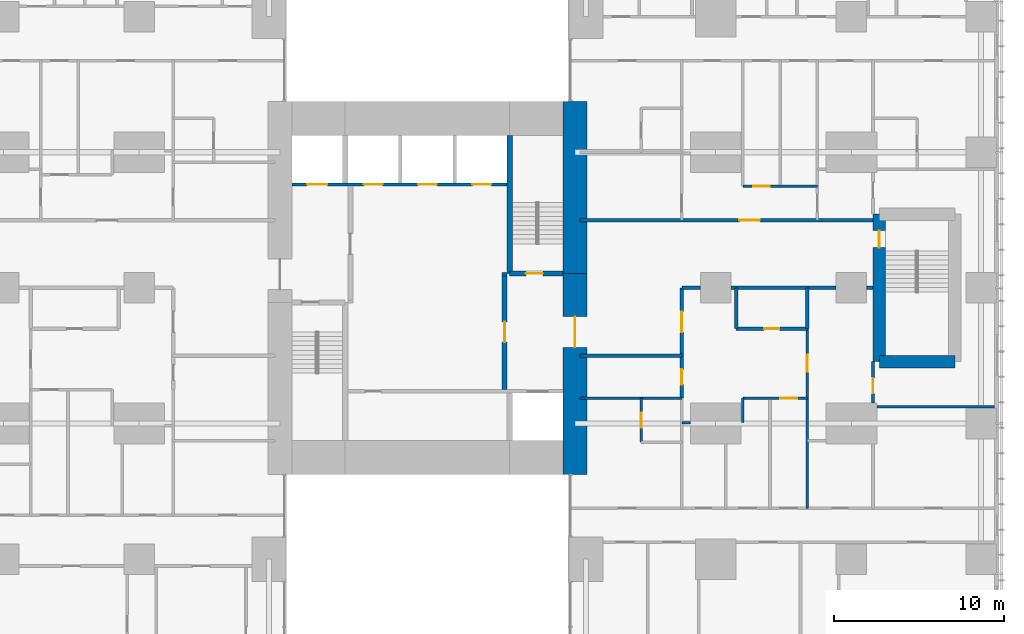
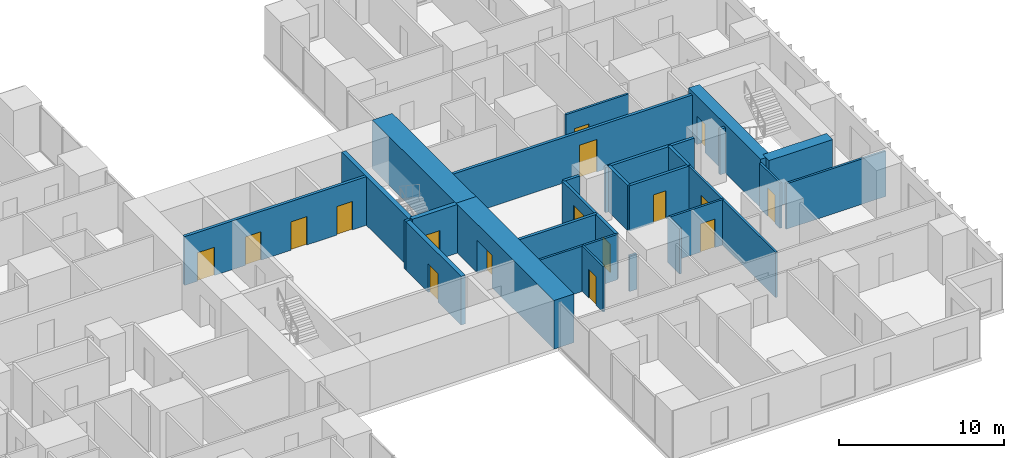
# One storey, part 15 of 20: 27 walls, 17 doors, 17 openings.
"""IFC4 building model written with IfcOpenShell, lengths in metres."""

from ifc_helpers import new_model, si_unit, direction, frame, frame_2d, origin, place, context, subcontext, project, spatial, rectangle, extrude, material, layer, layer_set, type_object, element, fill, save


model = new_model("IFC4")

# Units and contexts
model_context = context("Model", 3, precision=1e-05, world=origin(), true_north=direction((0.0, 1.0)))
body_context = subcontext(model_context, "Body", "Model", "MODEL_VIEW")
ifc_project = project(units=[si_unit("LENGTHUNIT", "METRE"), si_unit("AREAUNIT", "SQUARE_METRE"), si_unit("VOLUMEUNIT", "CUBIC_METRE"), si_unit("PLANEANGLEUNIT", "RADIAN"), si_unit("MASSUNIT", "GRAM", prefix="KILO")], contexts=[model_context])

# Site, building, storey
site_placement = place(None, origin())
site = spatial("IfcSite", under=ifc_project, at=site_placement, CompositionType="ELEMENT")
building_placement = place(site_placement, origin())
building = spatial("IfcBuilding", under=site, at=building_placement, Name="Cleftline Residences", CompositionType="ELEMENT")
storey_placement = place(building_placement, frame((0.0, 0.0, 211.0)))
storey = spatial("IfcBuildingStorey", under=building, at=storey_placement, Name="L55", CompositionType="ELEMENT", Elevation=211.0)

# Wall, opening, door
ifc_material_1 = material(Name="Concrete B70", Category="concrete")
ifc_layer_1 = layer(ifc_material_1, 1.39990234375)
ifc_layer_set_1 = layer_set([ifc_layer_1], Name="CORE WALL 1400")
wall_type_1 = type_object("IfcWallType", Name="CORE WALL 1400", PredefinedType="SHEAR", material=ifc_layer_set_1)
wall_1_placement = place(storey_placement, frame((41.699951171875, 13.0, 0.0), z_axis=(0.0, 0.0, 1.0), x_axis=(0.0, 1.0, 0.0)))
wall_1 = element("IfcWall", 1, at=wall_1_placement, inside=storey, type_object=wall_type_1, Name="Core wall E", PredefinedType="SHEAR", context=body_context, shape_type="SweptSolid", body=[
    extrude(rectangle(XDim=11.85009765625, YDim=1.39990234375, at=frame_2d((5.925048828125, 0.0))), origin(), (0.0, 0.0, 1.0), 3.60009765625),
])
opening_1_placement = place(wall_1_placement, frame((7.5, 0.0, 0.0)))
opening_1 = element("IfcOpeningElement", 2, at=opening_1_placement, cuts=wall_1, Name="Opening D7", PredefinedType="OPENING", context=body_context, shape_type="SweptSolid", body=[
    extrude(rectangle(XDim=1.800048828125, YDim=2.39990234375, at=frame_2d((0.89990234375, 1.199951171875))), frame((0.0, 0.7099609375, 0.0), z_axis=(0.0, -1.0, 0.0), x_axis=(1.0, 0.0, 0.0)), (0.0, 0.0, 1.0), 1.419921875),
])
ifc_material_2 = material(Name="Steel", Category="steel")
door_type_1 = type_object("IfcDoorType", Name="WING DOOR 1800X2400", OperationType="DOUBLE_DOOR_DOUBLE_SWING", PredefinedType="DOOR", material=ifc_material_2)
door_1_placement = place(opening_1_placement, origin())
door_1 = element("IfcDoor", 3, at=door_1_placement, inside=storey, type_object=door_type_1, Name="East wing door", OperationType="DOUBLE_DOOR_DOUBLE_SWING", OverallHeight=2.39990234375, OverallWidth=1.800048828125, PredefinedType="DOOR", context=body_context, shape_type="SweptSolid", body=[
    extrude(rectangle(XDim=1.800048828125, YDim=2.39990234375, at=frame_2d((0.89990234375, 1.199951171875))), frame((0.0, 0.02490234375, 0.0), z_axis=(0.0, -1.0, 0.0), x_axis=(1.0, 0.0, 0.0)), (0.0, 0.0, 1.0), 0.050048828125),
])
fill(opening_1, door_1)

# Walls
wall_2_placement = place(storey_placement, frame((41.699951171875, 24.85009765625, 0.0), z_axis=(0.0, 0.0, 1.0), x_axis=(0.0, 1.0, 0.0)))
element("IfcWall", 4, at=wall_2_placement, inside=storey, type_object=wall_type_1, Name="Core wall E1", PredefinedType="SHEAR", context=body_context, shape_type="SweptSolid", body=[
    extrude(rectangle(XDim=10.14990234375, YDim=1.39990234375, at=frame_2d((5.074951171875, 0.0))), origin(), (0.0, 0.0, 1.0), 3.60009765625),
])
ifc_material_3 = material(Name="Concrete B70", Category="concrete")
ifc_layer_2 = layer(ifc_material_3, 0.300048828125)
ifc_layer_set_2 = layer_set([ifc_layer_2], Name="CORE WALL 300")
wall_type_2 = type_object("IfcWallType", Name="CORE WALL 300", PredefinedType="SHEAR", material=ifc_layer_set_2)
wall_3_placement = place(storey_placement, frame((37.85009765625, 24.85009765625, 0.0), z_axis=(0.0, 0.0, 1.0), x_axis=(0.0, 1.0, 0.0)))
element("IfcWall", 5, at=wall_3_placement, inside=storey, type_object=wall_type_2, Name="Core wall SB-W", PredefinedType="SHEAR", context=body_context, shape_type="SweptSolid", body=[
    extrude(rectangle(XDim=8.14990234375, YDim=0.300048828125, at=frame_2d((4.074951171875, 0.0))), origin(), (0.0, 0.0, 1.0), 3.60009765625),
])

# Wall, opening, door
wall_4_placement = place(storey_placement, frame((37.85009765625, 24.85009765625, 0.0), z_axis=(0.0, 0.0, 1.0), x_axis=(1.0, 0.0, 0.0)))
wall_4 = element("IfcWall", 6, at=wall_4_placement, inside=storey, type_object=wall_type_2, Name="Core wall SB-S", PredefinedType="SHEAR", context=body_context, shape_type="SweptSolid", body=[
    extrude(rectangle(XDim=3.14990234375, YDim=0.300048828125, at=frame_2d((1.574951171875, 0.0))), origin(), (0.0, 0.0, 1.0), 3.60009765625),
])
opening_2_placement = place(wall_4_placement, frame((0.949951171875, 0.0, 0.0)))
opening_2 = element("IfcOpeningElement", 7, at=opening_2_placement, cuts=wall_4, Name="Opening D5", PredefinedType="OPENING", context=body_context, shape_type="SweptSolid", body=[
    extrude(rectangle(XDim=1.0, YDim=2.10009765625, at=frame_2d((0.5, 1.050048828125))), frame((0.0, 0.159912109375, 0.0), z_axis=(0.0, -1.0, 0.0), x_axis=(1.0, 0.0, 0.0)), (0.0, 0.0, 1.0), 0.320068359375),
])
ifc_material_4 = material(Name="Steel", Category="steel")
door_type_2 = type_object("IfcDoorType", Name="STAIR DOOR 1000X2100", OperationType="SINGLE_SWING_LEFT", PredefinedType="DOOR", material=ifc_material_4)
door_2_placement = place(opening_2_placement, origin())
door_2 = element("IfcDoor", 8, at=door_2_placement, inside=storey, type_object=door_type_2, Name="Stair B door", OperationType="SINGLE_SWING_RIGHT", OverallHeight=2.10009765625, OverallWidth=1.0, PredefinedType="DOOR", context=body_context, shape_type="SweptSolid", body=[
    extrude(rectangle(XDim=1.0, YDim=2.10009765625, at=frame_2d((0.5, 1.050048828125))), frame((0.0, 0.02490234375, 0.0), z_axis=(0.0, -1.0, 0.0), x_axis=(1.0, 0.0, 0.0)), (0.0, 0.0, 1.0), 0.050048828125),
])
fill(opening_2, door_2)

# Wall
ifc_material_5 = material(Name="Concrete blockwork, fire rated", Category="masonry")
ifc_layer_3 = layer(ifc_material_5, 0.199951171875)
ifc_layer_set_3 = layer_set([ifc_layer_3], Name="FIRE WALL 200")
wall_type_3 = type_object("IfcWallType", Name="FIRE WALL 200", PredefinedType="PARTITIONING", material=ifc_layer_set_3)
wall_5_placement = place(storey_placement, frame((42.0, 20.0, 0.0), z_axis=(0.0, 0.0, 1.0), x_axis=(1.0, 0.0, 0.0)))
element("IfcWall", 9, at=wall_5_placement, inside=storey, type_object=wall_type_3, Name="Fire separating wall", PredefinedType="PARTITIONING", context=body_context, shape_type="SweptSolid", body=[
    extrude(rectangle(XDim=6.0, YDim=0.199951171875, at=frame_2d((3.0, 0.0))), origin(), (0.0, 0.0, 1.0), 3.35009765625),
])

# Wall, opening, door
wall_6_placement = place(storey_placement, frame((51.199951171875, 21.60009765625, 0.0), z_axis=(0.0, 0.0, 1.0), x_axis=(1.0, 0.0, 0.0)))
wall_6 = element("IfcWall", 10, at=wall_6_placement, inside=storey, type_object=wall_type_3, Name="Fire separating wall", PredefinedType="PARTITIONING", context=body_context, shape_type="SweptSolid", body=[
    extrude(rectangle(XDim=4.199951171875, YDim=0.199951171875, at=frame_2d((2.10009765625, 0.0))), origin(), (0.0, 0.0, 1.0), 3.35009765625),
])
opening_3_placement = place(wall_6_placement, frame((1.64990234375, 0.0, 0.0)))
opening_3 = element("IfcOpeningElement", 11, at=opening_3_placement, cuts=wall_6, Name="Opening D1F30", PredefinedType="OPENING", context=body_context, shape_type="SweptSolid", body=[
    extrude(rectangle(XDim=0.89990234375, YDim=2.10009765625, at=frame_2d((0.449951171875, 1.050048828125))), frame((0.0, 0.10986328125, 0.0), z_axis=(0.0, -1.0, 0.0), x_axis=(1.0, 0.0, 0.0)), (0.0, 0.0, 1.0), 0.219970703125),
])
ifc_material_6 = material(Name="Timber veneer on solid core", Category="wood")
door_type_3 = type_object("IfcDoorType", Name="DOOR 900X2100 EI 30", OperationType="SINGLE_SWING_LEFT", PredefinedType="DOOR", material=ifc_material_6)
door_3_placement = place(opening_3_placement, origin())
door_3 = element("IfcDoor", 12, at=door_3_placement, inside=storey, type_object=door_type_3, Name="Door to cloakroom wc", OperationType="SINGLE_SWING_LEFT", OverallHeight=2.10009765625, OverallWidth=0.89990234375, PredefinedType="DOOR", context=body_context, shape_type="SweptSolid", body=[
    extrude(rectangle(XDim=0.89990234375, YDim=2.10009765625, at=frame_2d((0.449951171875, 1.050048828125))), frame((0.0, 0.02490234375, 0.0), z_axis=(0.0, -1.0, 0.0), x_axis=(1.0, 0.0, 0.0)), (0.0, 0.0, 1.0), 0.050048828125),
])
fill(opening_3, door_3)

# Walls
wall_7_placement = place(storey_placement, frame((48.0, 24.0, 0.0), z_axis=(0.0, 0.0, 1.0), x_axis=(1.0, 0.0, 0.0)))
element("IfcWall", 13, at=wall_7_placement, inside=storey, type_object=wall_type_3, Name="Fire separating wall", PredefinedType="PARTITIONING", context=body_context, shape_type="SweptSolid", body=[
    extrude(rectangle(XDim=1.10009765625, YDim=0.199951171875, at=frame_2d((0.550048828125, 0.0))), origin(), (0.0, 0.0, 1.0), 3.35009765625),
])
wall_8_placement = place(storey_placement, frame((50.89990234375, 24.0, 0.0), z_axis=(0.0, 0.0, 1.0), x_axis=(1.0, 0.0, 0.0)))
element("IfcWall", 14, at=wall_8_placement, inside=storey, type_object=wall_type_3, Name="Fire separating wall", PredefinedType="PARTITIONING", context=body_context, shape_type="SweptSolid", body=[
    extrude(rectangle(XDim=6.2001953125, YDim=0.199951171875, at=frame_2d((3.10009765625, 0.0))), origin(), (0.0, 0.0, 1.0), 3.35009765625),
])
wall_9_placement = place(storey_placement, frame((58.89990234375, 24.0, 0.0), z_axis=(0.0, 0.0, 1.0), x_axis=(1.0, 0.0, 0.0)))
element("IfcWall", 15, at=wall_9_placement, inside=storey, type_object=wall_type_3, Name="Fire separating wall", PredefinedType="PARTITIONING", context=body_context, shape_type="SweptSolid", body=[
    extrude(rectangle(XDim=0.375, YDim=0.199951171875, at=frame_2d((0.1875, 0.0))), origin(), (0.0, 0.0, 1.0), 3.35009765625),
])

# Wall, opening, door
wall_10_placement = place(storey_placement, frame((42.0, 28.0, 0.0), z_axis=(0.0, 0.0, 1.0), x_axis=(1.0, 0.0, 0.0)))
wall_10 = element("IfcWall", 16, at=wall_10_placement, inside=storey, type_object=wall_type_3, Name="Fire separating wall", PredefinedType="PARTITIONING", context=body_context, shape_type="SweptSolid", body=[
    extrude(rectangle(XDim=17.27490234375, YDim=0.199951171875, at=frame_2d((8.637451171875, 0.0))), origin(), (0.0, 0.0, 1.0), 3.35009765625),
])
opening_4_placement = place(wall_10_placement, frame((9.39990234375, 0.0, 0.0)))
opening_4 = element("IfcOpeningElement", 17, at=opening_4_placement, cuts=wall_10, Name="Opening D4", PredefinedType="OPENING", context=body_context, shape_type="SweptSolid", body=[
    extrude(rectangle(XDim=1.199951171875, YDim=2.39990234375, at=frame_2d((0.60009765625, 1.199951171875))), frame((0.0, 0.10986328125, 0.0), z_axis=(0.0, -1.0, 0.0), x_axis=(1.0, 0.0, 0.0)), (0.0, 0.0, 1.0), 0.219970703125),
])
ifc_material_7 = material(Name="Timber veneer on solid core", Category="wood")
door_type_4 = type_object("IfcDoorType", Name="APARTMENT ENTRANCE DOOR 1200X2400", OperationType="SINGLE_SWING_RIGHT", PredefinedType="DOOR", material=ifc_material_7)
door_4_placement = place(opening_4_placement, origin())
door_4 = element("IfcDoor", 18, at=door_4_placement, inside=storey, type_object=door_type_4, Name="Door to residence entrance (gallery)", OperationType="SINGLE_SWING_LEFT", OverallHeight=2.39990234375, OverallWidth=1.199951171875, PredefinedType="DOOR", context=body_context, shape_type="SweptSolid", body=[
    extrude(rectangle(XDim=1.199951171875, YDim=2.39990234375, at=frame_2d((0.60009765625, 1.199951171875))), frame((0.0, 0.02490234375, 0.0), z_axis=(0.0, -1.0, 0.0), x_axis=(1.0, 0.0, 0.0)), (0.0, 0.0, 1.0), 0.050048828125),
])
fill(opening_4, door_4)

# Wall, openings, doors
wall_11_placement = place(storey_placement, frame((48.0, 17.5, 0.0), z_axis=(0.0, 0.0, 1.0), x_axis=(0.0, 1.0, 0.0)))
wall_11 = element("IfcWall", 19, at=wall_11_placement, inside=storey, type_object=wall_type_3, Name="Fire separating wall", PredefinedType="PARTITIONING", context=body_context, shape_type="SweptSolid", body=[
    extrude(rectangle(XDim=6.5, YDim=0.199951171875, at=frame_2d((3.25, 0.0))), origin(), (0.0, 0.0, 1.0), 3.35009765625),
])
opening_5_placement = place(wall_11_placement, frame((3.89990234375, 0.0, 0.0)))
opening_5 = element("IfcOpeningElement", 20, at=opening_5_placement, cuts=wall_11, Name="Opening D4", PredefinedType="OPENING", context=body_context, shape_type="SweptSolid", body=[
    extrude(rectangle(XDim=1.199951171875, YDim=2.39990234375, at=frame_2d((0.60009765625, 1.199951171875))), frame((0.0, 0.10986328125, 0.0), z_axis=(0.0, -1.0, 0.0), x_axis=(1.0, 0.0, 0.0)), (0.0, 0.0, 1.0), 0.219970703125),
])
opening_6_placement = place(wall_11_placement, frame((0.800048828125, 0.0, 0.0)))
opening_6 = element("IfcOpeningElement", 21, at=opening_6_placement, cuts=wall_11, Name="Opening D1F30", PredefinedType="OPENING", context=body_context, shape_type="SweptSolid", body=[
    extrude(rectangle(XDim=0.89990234375, YDim=2.10009765625, at=frame_2d((0.449951171875, 1.050048828125))), frame((0.0, 0.10986328125, 0.0), z_axis=(0.0, -1.0, 0.0), x_axis=(1.0, 0.0, 0.0)), (0.0, 0.0, 1.0), 0.219970703125),
])
door_5_placement = place(opening_5_placement, origin())
door_5 = element("IfcDoor", 22, at=door_5_placement, inside=storey, type_object=door_type_4, Name="Door to residence entrance foyer", OperationType="SINGLE_SWING_LEFT", OverallHeight=2.39990234375, OverallWidth=1.199951171875, PredefinedType="DOOR", context=body_context, shape_type="SweptSolid", body=[
    extrude(rectangle(XDim=1.199951171875, YDim=2.39990234375, at=frame_2d((0.60009765625, 1.199951171875))), frame((0.0, 0.02490234375, 0.0), z_axis=(0.0, -1.0, 0.0), x_axis=(1.0, 0.0, 0.0)), (0.0, 0.0, 1.0), 0.050048828125),
])
fill(opening_5, door_5)
door_6_placement = place(opening_6_placement, origin())
door_6 = element("IfcDoor", 23, at=door_6_placement, inside=storey, type_object=door_type_3, Name="Door to utility room", OperationType="SINGLE_SWING_RIGHT", OverallHeight=2.10009765625, OverallWidth=0.89990234375, PredefinedType="DOOR", context=body_context, shape_type="SweptSolid", body=[
    extrude(rectangle(XDim=0.89990234375, YDim=2.10009765625, at=frame_2d((0.449951171875, 1.050048828125))), frame((0.0, 0.02490234375, 0.0), z_axis=(0.0, -1.0, 0.0), x_axis=(1.0, 0.0, 0.0)), (0.0, 0.0, 1.0), 0.050048828125),
])
fill(opening_6, door_6)

# Walls
for number, where, z_axis, x_axis, name in (
    (24, (51.199951171875, 21.60009765625, 0.0), (0.0, 0.0, 1.0), (0.0, 1.0, 0.0), "Fire separating wall"),
    (25, (55.39990234375, 21.60009765625, 0.0), (0.0, 0.0, 1.0), (0.0, 1.0, 0.0), "Fire separating wall"),
):
    element("IfcWall", number, at=place(storey_placement, frame(where, z_axis=z_axis, x_axis=x_axis)), inside=storey, type_object=wall_type_3, Name=name, PredefinedType="PARTITIONING", context=body_context, shape_type="SweptSolid", body=[
        extrude(rectangle(XDim=2.39990234375, YDim=0.199951171875, at=frame_2d((1.199951171875, 0.0))), origin(), (0.0, 0.0, 1.0), 3.35009765625),
    ])
wall_12_placement = place(storey_placement, frame((37.39990234375, 24.800048828125, 0.0), z_axis=(0.0, 0.0, 1.0), x_axis=(1.0, 0.0, 0.0)))
element("IfcWall", 26, at=wall_12_placement, inside=storey, type_object=wall_type_3, Name="Fire separating wall", PredefinedType="PARTITIONING", context=body_context, shape_type="SweptSolid", body=[
    extrude(rectangle(XDim=0.300048828125, YDim=0.199951171875, at=frame_2d((0.14990234375, 0.0))), origin(), (0.0, 0.0, 1.0), 3.60009765625),
])
ifc_material_8 = material(Name="Gypsum board on steel studs", Category="steel")
ifc_layer_4 = layer(ifc_material_8, 0.14990234375)
ifc_layer_set_4 = layer_set([ifc_layer_4], Name="PARTITION 150")
wall_type_4 = type_object("IfcWallType", Name="PARTITION 150", PredefinedType="PARTITIONING", material=ifc_layer_set_4)
wall_13_placement = place(storey_placement, frame((48.0, 16.050048828125, 0.0), z_axis=(0.0, 0.0, 1.0), x_axis=(1.0, 0.0, 0.0)))
element("IfcWall", 27, at=wall_13_placement, inside=storey, type_object=wall_type_4, Name="Partition", PredefinedType="PARTITIONING", context=body_context, shape_type="SweptSolid", body=[
    extrude(rectangle(XDim=0.5, YDim=0.14990234375, at=frame_2d((0.25, 0.0))), origin(), (0.0, 0.0, 1.0), 2.634033203125),
])
wall_14_placement = place(storey_placement, frame((59.5, 17.0, 0.0), z_axis=(0.0, 0.0, 1.0), x_axis=(1.0, 0.0, 0.0)))
element("IfcWall", 28, at=wall_14_placement, inside=storey, type_object=wall_type_4, Name="Partition", PredefinedType="PARTITIONING", context=body_context, shape_type="SweptSolid", body=[
    extrude(rectangle(XDim=6.949951171875, YDim=0.14990234375, at=frame_2d((3.47509765625, 0.0))), origin(), (0.0, 0.0, 1.0), 3.35009765625),
])
wall_15_placement = place(storey_placement, frame((42.0, 17.5, 0.0), z_axis=(0.0, 0.0, 1.0), x_axis=(1.0, 0.0, 0.0)))
element("IfcWall", 29, at=wall_15_placement, inside=storey, type_object=wall_type_4, Name="Partition", PredefinedType="PARTITIONING", context=body_context, shape_type="SweptSolid", body=[
    extrude(rectangle(XDim=6.0, YDim=0.14990234375, at=frame_2d((3.0, 0.0))), origin(), (0.0, 0.0, 1.0), 3.35009765625),
])

# Wall, opening, door
wall_16_placement = place(storey_placement, frame((51.60009765625, 17.5, 0.0), z_axis=(0.0, 0.0, 1.0), x_axis=(1.0, 0.0, 0.0)))
wall_16 = element("IfcWall", 30, at=wall_16_placement, inside=storey, type_object=wall_type_4, Name="Partition", PredefinedType="PARTITIONING", context=body_context, shape_type="SweptSolid", body=[
    extrude(rectangle(XDim=3.7998046875, YDim=0.14990234375, at=frame_2d((1.89990234375, 0.0))), origin(), (0.0, 0.0, 1.0), 3.35009765625),
])
opening_7_placement = place(wall_16_placement, frame((2.199951171875, 0.0, 0.0)))
opening_7 = element("IfcOpeningElement", 31, at=opening_7_placement, cuts=wall_16, Name="Opening D2", PredefinedType="OPENING", context=body_context, shape_type="SweptSolid", body=[
    extrude(rectangle(XDim=1.0, YDim=2.10009765625, at=frame_2d((0.5, 1.050048828125))), frame((0.0, 0.0849609375, 0.0), z_axis=(0.0, -1.0, 0.0), x_axis=(1.0, 0.0, 0.0)), (0.0, 0.0, 1.0), 0.169921875),
])
ifc_material_9 = material(Name="Timber veneer on solid core", Category="wood")
door_type_5 = type_object("IfcDoorType", Name="DOOR 1000X2100", OperationType="SINGLE_SWING_LEFT", PredefinedType="DOOR", material=ifc_material_9)
door_7_placement = place(opening_7_placement, origin())
door_7 = element("IfcDoor", 32, at=door_7_placement, inside=storey, type_object=door_type_5, Name="Door to residence passage", OperationType="SINGLE_SWING_LEFT", OverallHeight=2.10009765625, OverallWidth=1.0, PredefinedType="DOOR", context=body_context, shape_type="SweptSolid", body=[
    extrude(rectangle(XDim=1.0, YDim=2.10009765625, at=frame_2d((0.5, 1.050048828125))), frame((0.0, 0.02490234375, 0.0), z_axis=(0.0, -1.0, 0.0), x_axis=(1.0, 0.0, 0.0)), (0.0, 0.0, 1.0), 0.050048828125),
])
fill(opening_7, door_7)

wall_17_placement = place(storey_placement, frame((51.60009765625, 30.0, 0.0), z_axis=(0.0, 0.0, 1.0), x_axis=(1.0, 0.0, 0.0)))
wall_17 = element("IfcWall", 33, at=wall_17_placement, inside=storey, type_object=wall_type_4, Name="Partition", PredefinedType="PARTITIONING", context=body_context, shape_type="SweptSolid", body=[
    extrude(rectangle(XDim=4.39990234375, YDim=0.14990234375, at=frame_2d((2.199951171875, 0.0))), origin(), (0.0, 0.0, 1.0), 3.35009765625),
])
opening_8_placement = place(wall_17_placement, frame((0.60009765625, 0.0, 0.0)))
opening_8 = element("IfcOpeningElement", 34, at=opening_8_placement, cuts=wall_17, Name="Opening D2", PredefinedType="OPENING", context=body_context, shape_type="SweptSolid", body=[
    extrude(rectangle(XDim=1.0, YDim=2.10009765625, at=frame_2d((0.5, 1.050048828125))), frame((0.0, 0.0849609375, 0.0), z_axis=(0.0, -1.0, 0.0), x_axis=(1.0, 0.0, 0.0)), (0.0, 0.0, 1.0), 0.169921875),
])
door_8_placement = place(opening_8_placement, origin())
door_8 = element("IfcDoor", 35, at=door_8_placement, inside=storey, type_object=door_type_5, Name="Door to residence passage", OperationType="SINGLE_SWING_RIGHT", OverallHeight=2.10009765625, OverallWidth=1.0, PredefinedType="DOOR", context=body_context, shape_type="SweptSolid", body=[
    extrude(rectangle(XDim=1.0, YDim=2.10009765625, at=frame_2d((0.5, 1.050048828125))), frame((0.0, 0.02490234375, 0.0), z_axis=(0.0, -1.0, 0.0), x_axis=(1.0, 0.0, 0.0)), (0.0, 0.0, 1.0), 0.050048828125),
])
fill(opening_8, door_8)

wall_18_placement = place(storey_placement, frame((45.60009765625, 14.89990234375, 0.0), z_axis=(0.0, 0.0, 1.0), x_axis=(0.0, 1.0, 0.0)))
wall_18 = element("IfcWall", 36, at=wall_18_placement, inside=storey, type_object=wall_type_4, Name="Partition", PredefinedType="PARTITIONING", context=body_context, shape_type="SweptSolid", body=[
    extrude(rectangle(XDim=2.60009765625, YDim=0.14990234375, at=frame_2d((1.300048828125, 0.0))), origin(), (0.0, 0.0, 1.0), 3.35009765625),
])
opening_9_placement = place(wall_18_placement, frame((0.85009765625, 0.0, 0.0)))
opening_9 = element("IfcOpeningElement", 37, at=opening_9_placement, cuts=wall_18, Name="Opening D1", PredefinedType="OPENING", context=body_context, shape_type="SweptSolid", body=[
    extrude(rectangle(XDim=0.89990234375, YDim=2.10009765625, at=frame_2d((0.449951171875, 1.050048828125))), frame((0.0, 0.0849609375, 0.0), z_axis=(0.0, -1.0, 0.0), x_axis=(1.0, 0.0, 0.0)), (0.0, 0.0, 1.0), 0.169921875),
])
ifc_material_10 = material(Name="Timber veneer on solid core", Category="wood")
door_type_6 = type_object("IfcDoorType", Name="DOOR 900X2100", OperationType="SINGLE_SWING_LEFT", PredefinedType="DOOR", material=ifc_material_10)
door_9_placement = place(opening_9_placement, origin())
door_9 = element("IfcDoor", 38, at=door_9_placement, inside=storey, type_object=door_type_6, Name="Door to staff shower room", OperationType="SINGLE_SWING_LEFT", OverallHeight=2.10009765625, OverallWidth=0.89990234375, PredefinedType="DOOR", context=body_context, shape_type="SweptSolid", body=[
    extrude(rectangle(XDim=0.89990234375, YDim=2.10009765625, at=frame_2d((0.449951171875, 1.050048828125))), frame((0.0, 0.02490234375, 0.0), z_axis=(0.0, -1.0, 0.0), x_axis=(1.0, 0.0, 0.0)), (0.0, 0.0, 1.0), 0.050048828125),
])
fill(opening_9, door_9)

# Wall
wall_19_placement = place(storey_placement, frame((51.60009765625, 16.050048828125, 0.0), z_axis=(0.0, 0.0, 1.0), x_axis=(0.0, 1.0, 0.0)))
element("IfcWall", 39, at=wall_19_placement, inside=storey, type_object=wall_type_4, Name="Partition", PredefinedType="PARTITIONING", context=body_context, shape_type="SweptSolid", body=[
    extrude(rectangle(XDim=1.449951171875, YDim=0.14990234375, at=frame_2d((0.72509765625, 0.0))), origin(), (0.0, 0.0, 1.0), 3.35009765625),
])

# Wall, opening, door
wall_20_placement = place(storey_placement, frame((55.39990234375, 11.0, 0.0), z_axis=(0.0, 0.0, 1.0), x_axis=(0.0, 1.0, 0.0)))
wall_20 = element("IfcWall", 40, at=wall_20_placement, inside=storey, type_object=wall_type_4, Name="Partition", PredefinedType="PARTITIONING", context=body_context, shape_type="SweptSolid", body=[
    extrude(rectangle(XDim=10.60009765625, YDim=0.14990234375, at=frame_2d((5.300048828125, 0.0))), origin(), (0.0, 0.0, 1.0), 3.35009765625),
])
opening_10_placement = place(wall_20_placement, frame((8.050048828125, 0.0, 0.0)))
opening_10 = element("IfcOpeningElement", 41, at=opening_10_placement, cuts=wall_20, Name="Opening D2F30", PredefinedType="OPENING", context=body_context, shape_type="SweptSolid", body=[
    extrude(rectangle(XDim=1.0, YDim=2.10009765625, at=frame_2d((0.5, 1.050048828125))), frame((0.0, 0.0849609375, 0.0), z_axis=(0.0, -1.0, 0.0), x_axis=(1.0, 0.0, 0.0)), (0.0, 0.0, 1.0), 0.169921875),
])
ifc_material_11 = material(Name="Timber veneer on solid core", Category="wood")
door_type_7 = type_object("IfcDoorType", Name="DOOR 1000X2100 EI 30", OperationType="SINGLE_SWING_LEFT", PredefinedType="DOOR", material=ifc_material_11)
door_10_placement = place(opening_10_placement, origin())
door_10 = element("IfcDoor", 42, at=door_10_placement, inside=storey, type_object=door_type_7, Name="Door to residence lobby", OperationType="SINGLE_SWING_LEFT", OverallHeight=2.10009765625, OverallWidth=1.0, PredefinedType="DOOR", context=body_context, shape_type="SweptSolid", body=[
    extrude(rectangle(XDim=1.0, YDim=2.10009765625, at=frame_2d((0.5, 1.050048828125))), frame((0.0, 0.02490234375, 0.0), z_axis=(0.0, -1.0, 0.0), x_axis=(1.0, 0.0, 0.0)), (0.0, 0.0, 1.0), 0.050048828125),
])
fill(opening_10, door_10)

wall_21_placement = place(storey_placement, frame((59.27490234375, 17.199951171875, 0.0), z_axis=(0.0, 0.0, 1.0), x_axis=(0.0, 1.0, 0.0)))
wall_21 = element("IfcWall", 43, at=wall_21_placement, inside=storey, type_object=wall_type_4, Name="Partition", PredefinedType="PARTITIONING", context=body_context, shape_type="SweptSolid", body=[
    extrude(rectangle(XDim=2.449951171875, YDim=0.14990234375, at=frame_2d((1.22509765625, 0.0))), origin(), (0.0, 0.0, 1.0), 3.35009765625),
])
opening_11_placement = place(wall_21_placement, frame((0.58740234375, 0.0, 0.0)))
opening_11 = element("IfcOpeningElement", 44, at=opening_11_placement, cuts=wall_21, Name="Opening D1", PredefinedType="OPENING", context=body_context, shape_type="SweptSolid", body=[
    extrude(rectangle(XDim=0.89990234375, YDim=2.10009765625, at=frame_2d((0.449951171875, 1.050048828125))), frame((0.0, 0.0849609375, 0.0), z_axis=(0.0, -1.0, 0.0), x_axis=(1.0, 0.0, 0.0)), (0.0, 0.0, 1.0), 0.169921875),
])
door_11_placement = place(opening_11_placement, origin())
door_11 = element("IfcDoor", 45, at=door_11_placement, inside=storey, type_object=door_type_6, Name="Door to drying loggia", OperationType="SINGLE_SWING_RIGHT", OverallHeight=2.10009765625, OverallWidth=0.89990234375, PredefinedType="DOOR", context=body_context, shape_type="SweptSolid", body=[
    extrude(rectangle(XDim=0.89990234375, YDim=2.10009765625, at=frame_2d((0.449951171875, 1.050048828125))), frame((0.0, 0.02490234375, 0.0), z_axis=(0.0, -1.0, 0.0), x_axis=(1.0, 0.0, 0.0)), (0.0, 0.0, 1.0), 0.050048828125),
])
fill(opening_11, door_11)

# Wall, openings, doors
ifc_material_12 = material(Name="Concrete blockwork, fire rated", Category="masonry")
ifc_layer_5 = layer(ifc_material_12, 0.199951171875)
ifc_layer_set_5 = layer_set([ifc_layer_5], Name="SHAFT WALL 200")
wall_type_5 = type_object("IfcWallType", Name="SHAFT WALL 200", PredefinedType="PARTITIONING", material=ifc_layer_set_5)
wall_22_placement = place(storey_placement, frame((25.0, 30.10009765625, 0.0), z_axis=(0.0, 0.0, 1.0), x_axis=(1.0, 0.0, 0.0)))
wall_22 = element("IfcWall", 46, at=wall_22_placement, inside=storey, type_object=wall_type_5, Name="Lift shaft wall", PredefinedType="PARTITIONING", context=body_context, shape_type="SweptSolid", body=[
    extrude(rectangle(XDim=12.699951171875, YDim=0.199951171875, at=frame_2d((6.35009765625, 0.0))), origin(), (0.0, 0.0, 1.0), 3.60009765625),
])
opening_12_placement = place(wall_22_placement, frame((4.25, 0.0, 0.0)))
opening_12 = element("IfcOpeningElement", 47, at=opening_12_placement, cuts=wall_22, Name="Opening LD1", PredefinedType="OPENING", context=body_context, shape_type="SweptSolid", body=[
    extrude(rectangle(XDim=1.10009765625, YDim=2.10009765625, at=frame_2d((0.550048828125, 1.050048828125))), frame((0.0, 0.10986328125, 0.0), z_axis=(0.0, -1.0, 0.0), x_axis=(1.0, 0.0, 0.0)), (0.0, 0.0, 1.0), 0.219970703125),
])
opening_13_placement = place(wall_22_placement, frame((7.449951171875, 0.0, 0.0)))
opening_13 = element("IfcOpeningElement", 48, at=opening_13_placement, cuts=wall_22, Name="Opening LD1", PredefinedType="OPENING", context=body_context, shape_type="SweptSolid", body=[
    extrude(rectangle(XDim=1.10009765625, YDim=2.10009765625, at=frame_2d((0.550048828125, 1.050048828125))), frame((0.0, 0.10986328125, 0.0), z_axis=(0.0, -1.0, 0.0), x_axis=(1.0, 0.0, 0.0)), (0.0, 0.0, 1.0), 0.219970703125),
])
opening_14_placement = place(wall_22_placement, frame((10.64990234375, 0.0, 0.0)))
opening_14 = element("IfcOpeningElement", 49, at=opening_14_placement, cuts=wall_22, Name="Opening LD1", PredefinedType="OPENING", context=body_context, shape_type="SweptSolid", body=[
    extrude(rectangle(XDim=1.10009765625, YDim=2.10009765625, at=frame_2d((0.550048828125, 1.050048828125))), frame((0.0, 0.10986328125, 0.0), z_axis=(0.0, -1.0, 0.0), x_axis=(1.0, 0.0, 0.0)), (0.0, 0.0, 1.0), 0.219970703125),
])
opening_15_placement = place(wall_22_placement, frame((0.89990234375, 0.0, 0.0)))
opening_15 = element("IfcOpeningElement", 50, at=opening_15_placement, cuts=wall_22, Name="Opening LD2", PredefinedType="OPENING", context=body_context, shape_type="SweptSolid", body=[
    extrude(rectangle(XDim=1.199951171875, YDim=2.10009765625, at=frame_2d((0.60009765625, 1.050048828125))), frame((0.0, 0.10986328125, 0.0), z_axis=(0.0, -1.0, 0.0), x_axis=(1.0, 0.0, 0.0)), (0.0, 0.0, 1.0), 0.219970703125),
])
ifc_material_13 = material(Name="Steel", Category="steel")
door_type_8 = type_object("IfcDoorType", Name="FIREFIGHTING LIFT LANDING DOOR 1200X2100", OperationType="SLIDING_TO_LEFT", PredefinedType="DOOR", material=ifc_material_13)
door_12_placement = place(opening_15_placement, origin())
door_12 = element("IfcDoor", 51, at=door_12_placement, inside=storey, type_object=door_type_8, Name="Lift FL1 landing door", OperationType="SLIDING_TO_LEFT", OverallHeight=2.10009765625, OverallWidth=1.199951171875, PredefinedType="DOOR", context=body_context, shape_type="SweptSolid", body=[
    extrude(rectangle(XDim=1.199951171875, YDim=2.10009765625, at=frame_2d((0.60009765625, 1.050048828125))), frame((0.0, 0.02490234375, 0.0), z_axis=(0.0, -1.0, 0.0), x_axis=(1.0, 0.0, 0.0)), (0.0, 0.0, 1.0), 0.050048828125),
])
fill(opening_15, door_12)
ifc_material_14 = material(Name="Steel", Category="steel")
door_type_9 = type_object("IfcDoorType", Name="LIFT LANDING DOOR 1100X2100", OperationType="SLIDING_TO_LEFT", PredefinedType="DOOR", material=ifc_material_14)
door_13_placement = place(opening_12_placement, origin())
door_13 = element("IfcDoor", 52, at=door_13_placement, inside=storey, type_object=door_type_9, Name="Lift P4 landing door", OperationType="SLIDING_TO_LEFT", OverallHeight=2.10009765625, OverallWidth=1.10009765625, PredefinedType="DOOR", context=body_context, shape_type="SweptSolid", body=[
    extrude(rectangle(XDim=1.10009765625, YDim=2.10009765625, at=frame_2d((0.550048828125, 1.050048828125))), frame((0.0, 0.02490234375, 0.0), z_axis=(0.0, -1.0, 0.0), x_axis=(1.0, 0.0, 0.0)), (0.0, 0.0, 1.0), 0.050048828125),
])
fill(opening_12, door_13)
door_14_placement = place(opening_13_placement, origin())
door_14 = element("IfcDoor", 53, at=door_14_placement, inside=storey, type_object=door_type_9, Name="Lift P5 landing door", OperationType="SLIDING_TO_LEFT", OverallHeight=2.10009765625, OverallWidth=1.10009765625, PredefinedType="DOOR", context=body_context, shape_type="SweptSolid", body=[
    extrude(rectangle(XDim=1.10009765625, YDim=2.10009765625, at=frame_2d((0.550048828125, 1.050048828125))), frame((0.0, 0.02490234375, 0.0), z_axis=(0.0, -1.0, 0.0), x_axis=(1.0, 0.0, 0.0)), (0.0, 0.0, 1.0), 0.050048828125),
])
fill(opening_13, door_14)
door_15_placement = place(opening_14_placement, origin())
door_15 = element("IfcDoor", 54, at=door_15_placement, inside=storey, type_object=door_type_9, Name="Lift P6 landing door", OperationType="SLIDING_TO_LEFT", OverallHeight=2.10009765625, OverallWidth=1.10009765625, PredefinedType="DOOR", context=body_context, shape_type="SweptSolid", body=[
    extrude(rectangle(XDim=1.10009765625, YDim=2.10009765625, at=frame_2d((0.550048828125, 1.050048828125))), frame((0.0, 0.02490234375, 0.0), z_axis=(0.0, -1.0, 0.0), x_axis=(1.0, 0.0, 0.0)), (0.0, 0.0, 1.0), 0.050048828125),
])
fill(opening_14, door_15)

# Wall
ifc_material_15 = material(Name="Concrete B70", Category="concrete")
ifc_layer_6 = layer(ifc_material_15, 0.75)
ifc_layer_set_6 = layer_set([ifc_layer_6], Name="SHEAR WALL 750")
wall_type_6 = type_object("IfcWallType", Name="SHEAR WALL 750", PredefinedType="SHEAR", material=ifc_layer_set_6)
wall_23_placement = place(storey_placement, frame((59.64990234375, 19.64990234375, 0.0), z_axis=(0.0, 0.0, 1.0), x_axis=(1.0, 0.0, 0.0)))
element("IfcWall", 55, at=wall_23_placement, inside=storey, type_object=wall_type_6, Name="Wing shear wall", PredefinedType="SHEAR", context=body_context, shape_type="SweptSolid", body=[
    extrude(rectangle(XDim=4.4501953125, YDim=0.75, at=frame_2d((2.22509765625, 0.0))), origin(), (0.0, 0.0, 1.0), 3.60009765625),
])

# Wall, opening, door
wall_24_placement = place(storey_placement, frame((59.64990234375, 28.35009765625, 0.0), z_axis=(0.0, 0.0, 1.0), x_axis=(0.0, -1.0, 0.0)))
wall_24 = element("IfcWall", 56, at=wall_24_placement, inside=storey, type_object=wall_type_6, Name="Wing shear wall", PredefinedType="SHEAR", context=body_context, shape_type="SweptSolid", body=[
    extrude(rectangle(XDim=8.7001953125, YDim=0.75, at=frame_2d((4.35009765625, 0.0))), origin(), (0.0, 0.0, 1.0), 3.60009765625),
])
opening_16_placement = place(wall_24_placement, frame((0.97509765625, 0.0, 0.0)))
opening_16 = element("IfcOpeningElement", 57, at=opening_16_placement, cuts=wall_24, Name="Opening D5", PredefinedType="OPENING", context=body_context, shape_type="SweptSolid", body=[
    extrude(rectangle(XDim=1.0, YDim=2.10009765625, at=frame_2d((0.5, 1.050048828125))), frame((0.0, 0.385009765625, 0.0), z_axis=(0.0, -1.0, 0.0), x_axis=(1.0, 0.0, 0.0)), (0.0, 0.0, 1.0), 0.77001953125),
])
door_16_placement = place(opening_16_placement, origin())
door_16 = element("IfcDoor", 58, at=door_16_placement, inside=storey, type_object=door_type_2, Name="Stair E door", OperationType="SINGLE_SWING_RIGHT", OverallHeight=2.10009765625, OverallWidth=1.0, PredefinedType="DOOR", context=body_context, shape_type="SweptSolid", body=[
    extrude(rectangle(XDim=1.0, YDim=2.10009765625, at=frame_2d((0.5, 1.050048828125))), frame((0.0, 0.02490234375, 0.0), z_axis=(0.0, -1.0, 0.0), x_axis=(1.0, 0.0, 0.0)), (0.0, 0.0, 1.0), 0.050048828125),
])
fill(opening_16, door_16)

ifc_material_16 = material(Name="Concrete blockwork, fire rated", Category="masonry")
ifc_layer_7 = layer(ifc_material_16, 0.300048828125)
ifc_layer_set_7 = layer_set([ifc_layer_7], Name="STAIR LOBBY WALL 300")
wall_type_7 = type_object("IfcWallType", Name="STAIR LOBBY WALL 300", PredefinedType="PARTITIONING", material=ifc_layer_set_7)
wall_25_placement = place(storey_placement, frame((37.550048828125, 18.0, 0.0), z_axis=(0.0, 0.0, 1.0), x_axis=(0.0, 1.0, 0.0)))
wall_25 = element("IfcWall", 59, at=wall_25_placement, inside=storey, type_object=wall_type_7, Name="Stair and lobby wall FB-W", PredefinedType="PARTITIONING", context=body_context, shape_type="SweptSolid", body=[
    extrude(rectangle(XDim=6.699951171875, YDim=0.300048828125, at=frame_2d((3.35009765625, 0.0))), origin(), (0.0, 0.0, 1.0), 3.60009765625),
])
opening_17_placement = place(wall_25_placement, frame((2.800048828125, 0.0, 0.0)))
opening_17 = element("IfcOpeningElement", 60, at=opening_17_placement, cuts=wall_25, Name="Opening D6", PredefinedType="OPENING", context=body_context, shape_type="SweptSolid", body=[
    extrude(rectangle(XDim=1.199951171875, YDim=2.10009765625, at=frame_2d((0.60009765625, 1.050048828125))), frame((0.0, 0.159912109375, 0.0), z_axis=(0.0, -1.0, 0.0), x_axis=(1.0, 0.0, 0.0)), (0.0, 0.0, 1.0), 0.320068359375),
])
ifc_material_17 = material(Name="Steel", Category="steel")
door_type_10 = type_object("IfcDoorType", Name="LOBBY DOOR 1200X2100", OperationType="SINGLE_SWING_RIGHT", PredefinedType="DOOR", material=ifc_material_17)
door_17_placement = place(opening_17_placement, origin())
door_17 = element("IfcDoor", 61, at=door_17_placement, inside=storey, type_object=door_type_10, Name="Firefighting lobby B door", OperationType="SINGLE_SWING_LEFT", OverallHeight=2.10009765625, OverallWidth=1.199951171875, PredefinedType="DOOR", context=body_context, shape_type="SweptSolid", body=[
    extrude(rectangle(XDim=1.199951171875, YDim=2.10009765625, at=frame_2d((0.60009765625, 1.050048828125))), frame((0.0, 0.02490234375, 0.0), z_axis=(0.0, -1.0, 0.0), x_axis=(1.0, 0.0, 0.0)), (0.0, 0.0, 1.0), 0.050048828125),
])
fill(opening_17, door_17)

save(model, "model.ifc")
